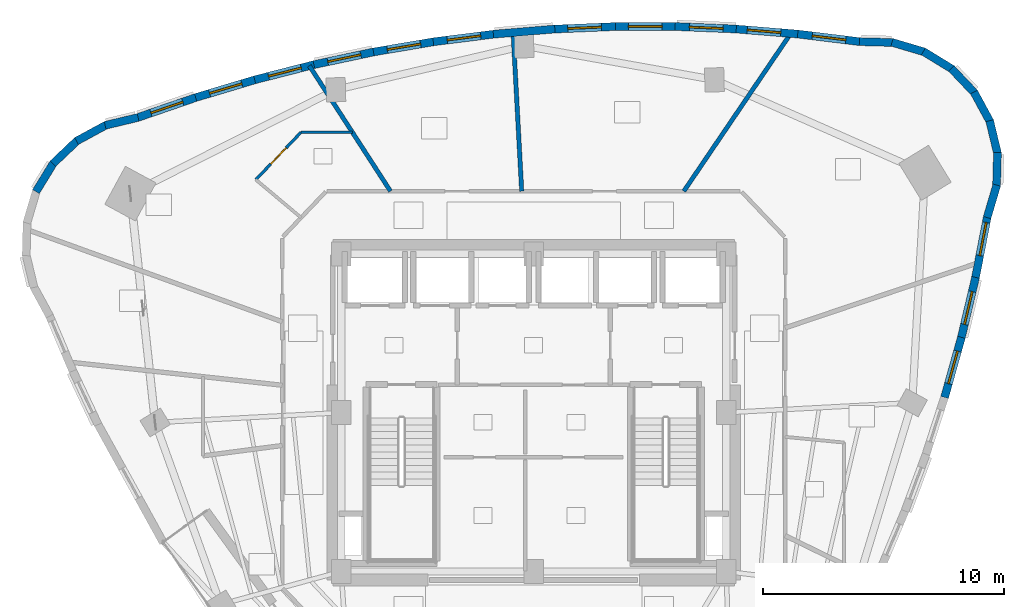
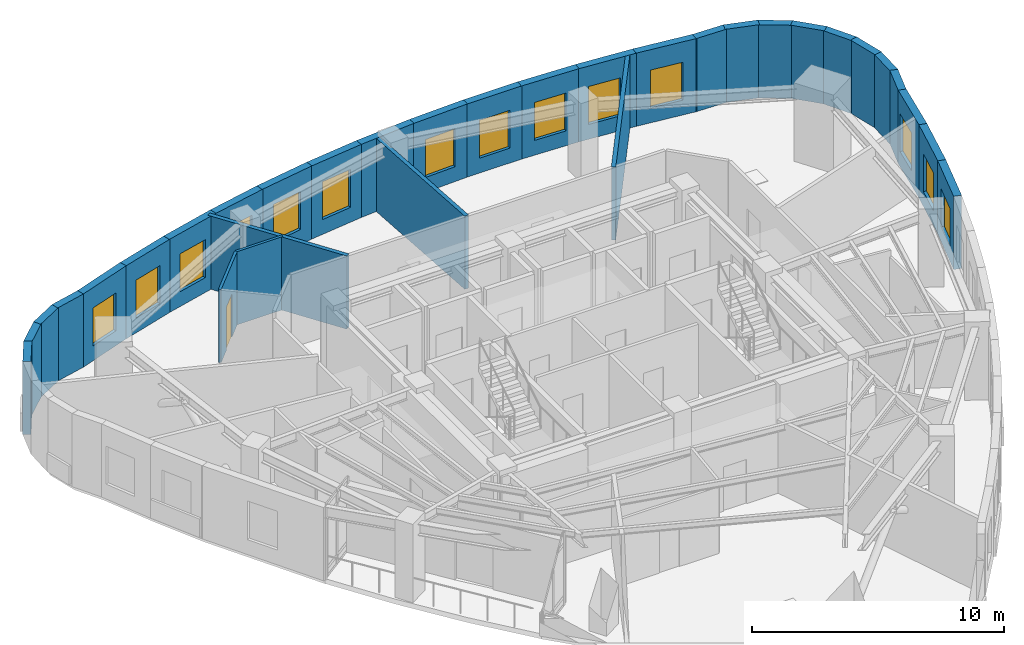
# One storey, part 9 of 13: 32 walls, 14 windows, 1 door, 15 openings.
"""IFC4 building model written with IfcOpenShell, lengths in metres."""

from ifc_helpers import new_model, si_unit, direction, frame, frame_2d, origin, place, context, subcontext, project, spatial, rectangle, extrude, material, layer, layer_set, type_object, element, fill, save


model = new_model("IFC4")

# Units and contexts
model_context = context("Model", 3, precision=1e-05, world=origin(), true_north=direction((0.0, 1.0)))
body_context = subcontext(model_context, "Body", "Model", "MODEL_VIEW")
ifc_project = project(units=[si_unit("LENGTHUNIT", "METRE"), si_unit("AREAUNIT", "SQUARE_METRE"), si_unit("VOLUMEUNIT", "CUBIC_METRE"), si_unit("PLANEANGLEUNIT", "RADIAN"), si_unit("MASSUNIT", "GRAM", prefix="KILO")], contexts=[model_context])

# Site, building, storey
site_placement = place(None, origin())
site = spatial("IfcSite", under=ifc_project, at=site_placement, CompositionType="ELEMENT")
building_placement = place(site_placement, origin())
building = spatial("IfcBuilding", under=site, at=building_placement, Name="Ndelora Gate Hotel", CompositionType="ELEMENT")
storey_placement = place(building_placement, frame((0.0, 0.0, 228.35009765625)))
storey = spatial("IfcBuildingStorey", under=building, at=storey_placement, Name="L57", CompositionType="ELEMENT", Elevation=228.35009765625)

# Walls
ifc_material_1 = material(Name="Acoustic Double-Stud Gypsum Assembly", Category="gypsum")
ifc_layer_1 = layer(ifc_material_1, 0.179931640625)
ifc_layer_set_1 = layer_set([ifc_layer_1], Name="Acoustic Double-Stud Gypsum Assembly")
wall_type_1 = type_object("IfcWallType", Name="WL-ACOUST-180", PredefinedType="PARTITIONING", material=ifc_layer_set_1)
wall_1_placement = place(storey_placement, frame((6.23779296875, 9.199951171875, 0.0), z_axis=(0.0, 0.0, 1.0), x_axis=(0.561184790161, 0.827690540777, 0.0)))
element("IfcWall", 1, at=wall_1_placement, inside=storey, type_object=wall_type_1, Name="L57 Interior Wall IW-3", PredefinedType="PARTITIONING", context=body_context, shape_type="SweptSolid", body=[
    extrude(rectangle(XDim=7.92041015625, YDim=0.179931640625, at=frame_2d((3.960205078125, 0.0))), origin(), (0.0, 0.0, 1.0), 3.5498046875),
])
wall_2_placement = place(storey_placement, frame((-0.498779296875, 9.199951171875, 0.0), z_axis=(0.0, 0.0, 1.0), x_axis=(-0.054120704993, 0.998534400655, 0.0)))
element("IfcWall", 2, at=wall_2_placement, inside=storey, type_object=wall_type_1, Name="L57 Interior Wall IW-3", PredefinedType="PARTITIONING", context=body_context, shape_type="SweptSolid", body=[
    extrude(rectangle(XDim=6.604248046875, YDim=0.179931640625, at=frame_2d((3.30224609375, 0.0))), origin(), (0.0, 0.0, 1.0), 3.5498046875),
])
wall_3_placement = place(storey_placement, frame((-5.950927734375, 9.199951171875, 0.0), z_axis=(0.0, 0.0, 1.0), x_axis=(-0.543119167899, 0.839655625516, 0.0)))
element("IfcWall", 3, at=wall_3_placement, inside=storey, type_object=wall_type_1, Name="L57 Interior Wall IW-3", PredefinedType="PARTITIONING", context=body_context, shape_type="SweptSolid", body=[
    extrude(rectangle(XDim=6.20703125, YDim=0.179931640625, at=frame_2d((3.103515625, 0.0))), origin(), (0.0, 0.0, 1.0), 3.5498046875),
])
ifc_material_2 = material(Name="Clay Brick Masonry", Category="masonry")
ifc_layer_2 = layer(ifc_material_2, 0.330078125)
ifc_layer_set_2 = layer_set([ifc_layer_2], Name="Clay Brick Masonry")
wall_type_2 = type_object("IfcWallType", Name="WL-BRICK-330", PredefinedType="SOLIDWALL", material=ifc_layer_set_2)
wall_4_placement = place(storey_placement, frame((-17.809326171875, 11.9375, 0.0), z_axis=(0.0, 0.0, 1.0), x_axis=(0.972355799013, 0.23350417582, 0.0)))
element("IfcWall", 4, at=wall_4_placement, inside=storey, type_object=wall_type_2, Name="L57 Tower Brick Pier-and-Spandrel Wall TWR-1", PredefinedType="SOLIDWALL", context=body_context, shape_type="SweptSolid", body=[
    extrude(rectangle(XDim=1.4072265625, YDim=0.330078125, at=frame_2d((0.70361328125, 0.0))), origin(), (0.0, 0.0, 1.0), 3.5498046875),
])
wall_5_placement = place(storey_placement, frame((-19.0, 11.28369140625, 0.0), z_axis=(0.0, 0.0, 1.0), x_axis=(0.8789012206, 0.47700382014, 0.0)))
element("IfcWall", 5, at=wall_5_placement, inside=storey, type_object=wall_type_2, Name="L57 Tower Brick Pier-and-Spandrel Wall TWR-2", PredefinedType="SOLIDWALL", context=body_context, shape_type="SweptSolid", body=[
    extrude(rectangle(XDim=1.407470703125, YDim=0.330078125, at=frame_2d((0.70361328125, 0.0))), origin(), (0.0, 0.0, 1.0), 3.5498046875),
])
for number, where, z_axis, x_axis, name in (
    (6, (-19.980712890625, 10.343994140625, 0.0), (0.0, 0.0, 1.0), (0.725341527104, 0.688389184298, 0.0), "L57 Tower Brick Pier-and-Spandrel Wall TWR-3"),
    (7, (-20.68505859375, 9.1826171875, 0.0), (0.0, 0.0, 1.0), (0.522509174355, 0.852633662668, 0.0), "L57 Tower Brick Pier-and-Spandrel Wall TWR-4"),
):
    element("IfcWall", number, at=place(storey_placement, frame(where, z_axis=z_axis, x_axis=x_axis)), inside=storey, type_object=wall_type_2, Name=name, PredefinedType="SOLIDWALL", context=body_context, shape_type="SweptSolid", body=[
        extrude(rectangle(XDim=1.4072265625, YDim=0.330078125, at=frame_2d((0.70361328125, 0.0))), origin(), (0.0, 0.0, 1.0), 3.5498046875),
    ])

# Wall, opening, window
wall_6_placement = place(storey_placement, frame((17.77490234375, 3.127685546875, 0.0), z_axis=(0.0, 0.0, 1.0), x_axis=(-0.26969279574, -0.962946413839, 0.0)))
wall_6 = element("IfcWall", 8, at=wall_6_placement, inside=storey, type_object=wall_type_2, Name="L57 Tower Brick Pier-and-Spandrel Wall TWR-36", PredefinedType="SOLIDWALL", context=body_context, shape_type="SweptSolid", body=[
    extrude(rectangle(XDim=2.592529296875, YDim=0.330078125, at=frame_2d((1.29638671875, 0.0))), origin(), (0.0, 0.0, 1.0), 3.5498046875),
])
opening_1_placement = place(wall_6_placement, frame((0.59619140625, 0.0, 0.719970703125)))
opening_1 = element("IfcOpeningElement", 9, at=opening_1_placement, cuts=wall_6, Name="Opening W02", PredefinedType="OPENING", context=body_context, shape_type="SweptSolid", body=[
    extrude(rectangle(XDim=1.39990234375, YDim=1.840087890625, at=frame_2d((0.699951171875, 0.919921875))), frame((0.0, 0.175048828125, 0.0), z_axis=(0.0, -1.0, 0.0), x_axis=(1.0, 0.0, 0.0)), (0.0, 0.0, 1.0), 0.35009765625),
])
ifc_material_3 = material(Name="Insulated Low-E Double Glazing in Bronze Aluminium Frame", Category="aluminium")
window_type = type_object("IfcWindowType", Name="WN-DEEP-1400", PartitioningType="SINGLE_PANEL", PredefinedType="WINDOW", material=ifc_material_3)
window_1_placement = place(opening_1_placement, origin())
window_1 = element("IfcWindow", 10, at=window_1_placement, inside=storey, type_object=window_type, Name="L57 Deep-Set Brick-Pier Window W02", OverallHeight=1.840087890625, OverallWidth=1.39990234375, PartitioningType="SINGLE_PANEL", PredefinedType="WINDOW", context=body_context, shape_type="SweptSolid", body=[
    extrude(rectangle(XDim=1.39990234375, YDim=1.840087890625, at=frame_2d((0.699951171875, 0.919921875))), frame((0.0, 0.030029296875, 0.0), z_axis=(0.0, -1.0, 0.0), x_axis=(1.0, 0.0, 0.0)), (0.0, 0.0, 1.0), 0.06005859375),
])
fill(opening_1, window_1)

wall_7_placement = place(storey_placement, frame((18.36328125, 5.619140625, 0.0), z_axis=(0.0, 0.0, 1.0), x_axis=(-0.230212303812, -0.973140429318, 0.0)))
wall_7 = element("IfcWall", 11, at=wall_7_placement, inside=storey, type_object=wall_type_2, Name="L57 Tower Brick Pier-and-Spandrel Wall TWR-37", PredefinedType="SOLIDWALL", context=body_context, shape_type="SweptSolid", body=[
    extrude(rectangle(XDim=2.60986328125, YDim=0.330078125, at=frame_2d((1.304931640625, 0.0))), origin(), (0.0, 0.0, 1.0), 3.5498046875),
])
opening_2_placement = place(wall_7_placement, frame((0.60498046875, 0.0, 0.719970703125)))
opening_2 = element("IfcOpeningElement", 12, at=opening_2_placement, cuts=wall_7, Name="Opening W02", PredefinedType="OPENING", context=body_context, shape_type="SweptSolid", body=[
    extrude(rectangle(XDim=1.39990234375, YDim=1.840087890625, at=frame_2d((0.699951171875, 0.919921875))), frame((0.0, 0.175048828125, 0.0), z_axis=(0.0, -1.0, 0.0), x_axis=(1.0, 0.0, 0.0)), (0.0, 0.0, 1.0), 0.35009765625),
])
window_2_placement = place(opening_2_placement, origin())
window_2 = element("IfcWindow", 13, at=window_2_placement, inside=storey, type_object=window_type, Name="L57 Deep-Set Brick-Pier Window W02", OverallHeight=1.840087890625, OverallWidth=1.39990234375, PartitioningType="SINGLE_PANEL", PredefinedType="WINDOW", context=body_context, shape_type="SweptSolid", body=[
    extrude(rectangle(XDim=1.39990234375, YDim=1.840087890625, at=frame_2d((0.699951171875, 0.919921875))), frame((0.0, 0.030029296875, 0.0), z_axis=(0.0, -1.0, 0.0), x_axis=(1.0, 0.0, 0.0)), (0.0, 0.0, 1.0), 0.06005859375),
])
fill(opening_2, window_2)

wall_8_placement = place(storey_placement, frame((18.85498046875, 8.153564453125, 0.0), z_axis=(0.0, 0.0, 1.0), x_axis=(-0.190921803472, -0.981605249048, 0.0)))
wall_8 = element("IfcWall", 14, at=wall_8_placement, inside=storey, type_object=wall_type_2, Name="L57 Tower Brick Pier-and-Spandrel Wall TWR-38", PredefinedType="SOLIDWALL", context=body_context, shape_type="SweptSolid", body=[
    extrude(rectangle(XDim=2.631591796875, YDim=0.330078125, at=frame_2d((1.31591796875, 0.0))), origin(), (0.0, 0.0, 1.0), 3.5498046875),
])
opening_3_placement = place(wall_8_placement, frame((0.260009765625, 0.0, 0.719970703125)))
opening_3 = element("IfcOpeningElement", 15, at=opening_3_placement, cuts=wall_8, Name="Opening W02", PredefinedType="OPENING", context=body_context, shape_type="SweptSolid", body=[
    extrude(rectangle(XDim=1.39990234375, YDim=1.840087890625, at=frame_2d((0.699951171875, 0.919921875))), frame((0.0, 0.175048828125, 0.0), z_axis=(0.0, -1.0, 0.0), x_axis=(1.0, 0.0, 0.0)), (0.0, 0.0, 1.0), 0.35009765625),
])
window_3_placement = place(opening_3_placement, origin())
window_3 = element("IfcWindow", 16, at=window_3_placement, inside=storey, type_object=window_type, Name="L57 Deep-Set Brick-Pier Window W02", OverallHeight=1.840087890625, OverallWidth=1.39990234375, PartitioningType="SINGLE_PANEL", PredefinedType="WINDOW", context=body_context, shape_type="SweptSolid", body=[
    extrude(rectangle(XDim=1.39990234375, YDim=1.840087890625, at=frame_2d((0.699951171875, 0.919921875))), frame((0.0, 0.030029296875, 0.0), z_axis=(0.0, -1.0, 0.0), x_axis=(1.0, 0.0, 0.0)), (0.0, 0.0, 1.0), 0.06005859375),
])
fill(opening_3, window_3)

# Walls
wall_9_placement = place(storey_placement, frame((19.242919921875, 9.45458984375, 0.0), z_axis=(0.0, 0.0, 1.0), x_axis=(-0.284100140437, -0.958794613149, 0.0)))
element("IfcWall", 17, at=wall_9_placement, inside=storey, type_object=wall_type_2, Name="L57 Tower Brick Pier-and-Spandrel Wall TWR-39", PredefinedType="SOLIDWALL", context=body_context, shape_type="SweptSolid", body=[
    extrude(rectangle(XDim=1.40771484375, YDim=0.330078125, at=frame_2d((0.703857421875, 0.0))), origin(), (0.0, 0.0, 1.0), 3.5498046875),
])
for number, where, z_axis, x_axis, name in (
    (18, (19.27197265625, 10.8125, 0.0), (0.0, 0.0, 1.0), (-0.02619264168, -0.999656913907, 0.0), "L57 Tower Brick Pier-and-Spandrel Wall TWR-40"),
    (19, (18.948486328125, 12.1318359375, 0.0), (0.0, 0.0, 1.0), (0.233464793771, -0.972365255482, 0.0), "L57 Tower Brick Pier-and-Spandrel Wall TWR-41"),
):
    element("IfcWall", number, at=place(storey_placement, frame(where, z_axis=z_axis, x_axis=x_axis)), inside=storey, type_object=wall_type_2, Name=name, PredefinedType="SOLIDWALL", context=body_context, shape_type="SweptSolid", body=[
        extrude(rectangle(XDim=1.407470703125, YDim=0.330078125, at=frame_2d((0.70361328125, 0.0))), origin(), (0.0, 0.0, 1.0), 3.5498046875),
    ])
wall_10_placement = place(storey_placement, frame((18.294921875, 13.322509765625, 0.0), z_axis=(0.0, 0.0, 1.0), x_axis=(0.477076549129, -0.878861744685, 0.0)))
element("IfcWall", 20, at=wall_10_placement, inside=storey, type_object=wall_type_2, Name="L57 Tower Brick Pier-and-Spandrel Wall TWR-42", PredefinedType="SOLIDWALL", context=body_context, shape_type="SweptSolid", body=[
    extrude(rectangle(XDim=1.4072265625, YDim=0.330078125, at=frame_2d((0.70361328125, 0.0))), origin(), (0.0, 0.0, 1.0), 3.5498046875),
])
wall_11_placement = place(storey_placement, frame((17.35498046875, 14.30322265625, 0.0), z_axis=(0.0, 0.0, 1.0), x_axis=(0.688480442028, -0.725254907563, 0.0)))
element("IfcWall", 21, at=wall_11_placement, inside=storey, type_object=wall_type_2, Name="L57 Tower Brick Pier-and-Spandrel Wall TWR-43", PredefinedType="SOLIDWALL", context=body_context, shape_type="SweptSolid", body=[
    extrude(rectangle(XDim=1.407470703125, YDim=0.330078125, at=frame_2d((0.70361328125, 0.0))), origin(), (0.0, 0.0, 1.0), 3.5498046875),
])
wall_12_placement = place(storey_placement, frame((16.193603515625, 15.007568359375, 0.0), z_axis=(0.0, 0.0, 1.0), x_axis=(0.852633662668, -0.522509174355, 0.0)))
element("IfcWall", 22, at=wall_12_placement, inside=storey, type_object=wall_type_2, Name="L57 Tower Brick Pier-and-Spandrel Wall TWR-44", PredefinedType="SOLIDWALL", context=body_context, shape_type="SweptSolid", body=[
    extrude(rectangle(XDim=1.4072265625, YDim=0.330078125, at=frame_2d((0.70361328125, 0.0))), origin(), (0.0, 0.0, 1.0), 3.5498046875),
])
wall_13_placement = place(storey_placement, frame((14.88916015625, 15.38720703125, 0.0), z_axis=(0.0, 0.0, 1.0), x_axis=(0.958794613149, -0.284100140437, 0.0)))
element("IfcWall", 23, at=wall_13_placement, inside=storey, type_object=wall_type_2, Name="L57 Tower Brick Pier-and-Spandrel Wall TWR-45", PredefinedType="SOLIDWALL", context=body_context, shape_type="SweptSolid", body=[
    extrude(rectangle(XDim=1.40771484375, YDim=0.330078125, at=frame_2d((0.703857421875, 0.0))), origin(), (0.0, 0.0, 1.0), 3.5498046875),
])
wall_14_placement = place(storey_placement, frame((13.53125, 15.416259765625, 0.0), z_axis=(0.0, 0.0, 1.0), x_axis=(0.999656913907, -0.02619264168, 0.0)))
element("IfcWall", 24, at=wall_14_placement, inside=storey, type_object=wall_type_2, Name="L57 Tower Brick Pier-and-Spandrel Wall TWR-46", PredefinedType="SOLIDWALL", context=body_context, shape_type="SweptSolid", body=[
    extrude(rectangle(XDim=1.407470703125, YDim=0.330078125, at=frame_2d((0.70361328125, 0.0))), origin(), (0.0, 0.0, 1.0), 3.5498046875),
])

# Wall, opening, window
wall_15_placement = place(storey_placement, frame((10.968994140625, 15.73291015625, 0.0), z_axis=(0.0, 0.0, 1.0), x_axis=(0.99256490285, -0.121716529819, 0.0)))
wall_15 = element("IfcWall", 25, at=wall_15_placement, inside=storey, type_object=wall_type_2, Name="L57 Tower Brick Pier-and-Spandrel Wall TWR-47", PredefinedType="SOLIDWALL", context=body_context, shape_type="SweptSolid", body=[
    extrude(rectangle(XDim=2.631591796875, YDim=0.330078125, at=frame_2d((1.31591796875, 0.0))), origin(), (0.0, 0.0, 1.0), 3.5498046875),
])
opening_4_placement = place(wall_15_placement, frame((0.61572265625, 0.0, 0.719970703125)))
opening_4 = element("IfcOpeningElement", 26, at=opening_4_placement, cuts=wall_15, Name="Opening W02", PredefinedType="OPENING", context=body_context, shape_type="SweptSolid", body=[
    extrude(rectangle(XDim=1.39990234375, YDim=1.840087890625, at=frame_2d((0.699951171875, 0.919921875))), frame((0.0, 0.175048828125, 0.0), z_axis=(0.0, -1.0, 0.0), x_axis=(1.0, 0.0, 0.0)), (0.0, 0.0, 1.0), 0.35009765625),
])
window_4_placement = place(opening_4_placement, origin())
window_4 = element("IfcWindow", 27, at=window_4_placement, inside=storey, type_object=window_type, Name="L57 Deep-Set Brick-Pier Window W02", OverallHeight=1.840087890625, OverallWidth=1.39990234375, PartitioningType="SINGLE_PANEL", PredefinedType="WINDOW", context=body_context, shape_type="SweptSolid", body=[
    extrude(rectangle(XDim=1.39990234375, YDim=1.840087890625, at=frame_2d((0.699951171875, 0.919921875))), frame((0.0, 0.030029296875, 0.0), z_axis=(0.0, -1.0, 0.0), x_axis=(1.0, 0.0, 0.0)), (0.0, 0.0, 1.0), 0.06005859375),
])
fill(opening_4, window_4)

wall_16_placement = place(storey_placement, frame((8.41748046875, 15.94140625, 0.0), z_axis=(0.0, 0.0, 1.0), x_axis=(0.996652650266, -0.081752643485, 0.0)))
wall_16 = element("IfcWall", 28, at=wall_16_placement, inside=storey, type_object=wall_type_2, Name="L57 Tower Brick Pier-and-Spandrel Wall TWR-48", PredefinedType="SOLIDWALL", context=body_context, shape_type="SweptSolid", body=[
    extrude(rectangle(XDim=2.610107421875, YDim=0.330078125, at=frame_2d((1.30517578125, 0.0))), origin(), (0.0, 0.0, 1.0), 3.5498046875),
])
opening_5_placement = place(wall_16_placement, frame((0.4599609375, 0.0, 0.719970703125)))
opening_5 = element("IfcOpeningElement", 29, at=opening_5_placement, cuts=wall_16, Name="Opening W02", PredefinedType="OPENING", context=body_context, shape_type="SweptSolid", body=[
    extrude(rectangle(XDim=1.39990234375, YDim=1.840087890625, at=frame_2d((0.699951171875, 0.919921875))), frame((0.0, 0.175048828125, 0.0), z_axis=(0.0, -1.0, 0.0), x_axis=(1.0, 0.0, 0.0)), (0.0, 0.0, 1.0), 0.35009765625),
])
window_5_placement = place(opening_5_placement, origin())
window_5 = element("IfcWindow", 30, at=window_5_placement, inside=storey, type_object=window_type, Name="L57 Deep-Set Brick-Pier Window W02", OverallHeight=1.840087890625, OverallWidth=1.39990234375, PartitioningType="SINGLE_PANEL", PredefinedType="WINDOW", context=body_context, shape_type="SweptSolid", body=[
    extrude(rectangle(XDim=1.39990234375, YDim=1.840087890625, at=frame_2d((0.699951171875, 0.919921875))), frame((0.0, 0.030029296875, 0.0), z_axis=(0.0, -1.0, 0.0), x_axis=(1.0, 0.0, 0.0)), (0.0, 0.0, 1.0), 0.06005859375),
])
fill(opening_5, window_5)

wall_17_placement = place(storey_placement, frame((5.876953125, 16.044921875, 0.0), z_axis=(0.0, 0.0, 1.0), x_axis=(0.999156737848, -0.041058655768, 0.0)))
wall_17 = element("IfcWall", 31, at=wall_17_placement, inside=storey, type_object=wall_type_2, Name="L57 Tower Brick Pier-and-Spandrel Wall TWR-49", PredefinedType="SOLIDWALL", context=body_context, shape_type="SweptSolid", body=[
    extrude(rectangle(XDim=2.592529296875, YDim=0.330078125, at=frame_2d((1.29638671875, 0.0))), origin(), (0.0, 0.0, 1.0), 3.5498046875),
])
opening_6_placement = place(wall_17_placement, frame((0.59619140625, 0.0, 0.719970703125)))
opening_6 = element("IfcOpeningElement", 32, at=opening_6_placement, cuts=wall_17, Name="Opening W02", PredefinedType="OPENING", context=body_context, shape_type="SweptSolid", body=[
    extrude(rectangle(XDim=1.39990234375, YDim=1.840087890625, at=frame_2d((0.699951171875, 0.919921875))), frame((0.0, 0.175048828125, 0.0), z_axis=(0.0, -1.0, 0.0), x_axis=(1.0, 0.0, 0.0)), (0.0, 0.0, 1.0), 0.35009765625),
])
window_6_placement = place(opening_6_placement, origin())
window_6 = element("IfcWindow", 33, at=window_6_placement, inside=storey, type_object=window_type, Name="L57 Deep-Set Brick-Pier Window W02", OverallHeight=1.840087890625, OverallWidth=1.39990234375, PartitioningType="SINGLE_PANEL", PredefinedType="WINDOW", context=body_context, shape_type="SweptSolid", body=[
    extrude(rectangle(XDim=1.39990234375, YDim=1.840087890625, at=frame_2d((0.699951171875, 0.919921875))), frame((0.0, 0.030029296875, 0.0), z_axis=(0.0, -1.0, 0.0), x_axis=(1.0, 0.0, 0.0)), (0.0, 0.0, 1.0), 0.06005859375),
])
fill(opening_6, window_6)

wall_18_placement = place(storey_placement, frame((3.34765625, 16.04345703125, 0.0), z_axis=(0.0, 0.0, 1.0), x_axis=(0.999999982082, 0.000189304303, 0.0)))
wall_18 = element("IfcWall", 34, at=wall_18_placement, inside=storey, type_object=wall_type_2, Name="L57 Tower Brick Pier-and-Spandrel Wall TWR-50", PredefinedType="SOLIDWALL", context=body_context, shape_type="SweptSolid", body=[
    extrude(rectangle(XDim=2.579345703125, YDim=0.330078125, at=frame_2d((1.28955078125, 0.0))), origin(), (0.0, 0.0, 1.0), 3.5498046875),
])
opening_7_placement = place(wall_18_placement, frame((0.589599609375, 0.0, 0.719970703125)))
opening_7 = element("IfcOpeningElement", 35, at=opening_7_placement, cuts=wall_18, Name="Opening W02", PredefinedType="OPENING", context=body_context, shape_type="SweptSolid", body=[
    extrude(rectangle(XDim=1.39990234375, YDim=1.840087890625, at=frame_2d((0.699951171875, 0.919921875))), frame((0.0, 0.175048828125, 0.0), z_axis=(0.0, -1.0, 0.0), x_axis=(1.0, 0.0, 0.0)), (0.0, 0.0, 1.0), 0.35009765625),
])
window_7_placement = place(opening_7_placement, origin())
window_7 = element("IfcWindow", 36, at=window_7_placement, inside=storey, type_object=window_type, Name="L57 Deep-Set Brick-Pier Window W02", OverallHeight=1.840087890625, OverallWidth=1.39990234375, PartitioningType="SINGLE_PANEL", PredefinedType="WINDOW", context=body_context, shape_type="SweptSolid", body=[
    extrude(rectangle(XDim=1.39990234375, YDim=1.840087890625, at=frame_2d((0.699951171875, 0.919921875))), frame((0.0, 0.030029296875, 0.0), z_axis=(0.0, -1.0, 0.0), x_axis=(1.0, 0.0, 0.0)), (0.0, 0.0, 1.0), 0.06005859375),
])
fill(opening_7, window_7)

wall_19_placement = place(storey_placement, frame((0.829345703125, 15.93701171875, 0.0), z_axis=(0.0, 0.0, 1.0), x_axis=(0.999126476611, 0.041788559858, 0.0)))
wall_19 = element("IfcWall", 37, at=wall_19_placement, inside=storey, type_object=wall_type_2, Name="L57 Tower Brick Pier-and-Spandrel Wall TWR-51", PredefinedType="SOLIDWALL", context=body_context, shape_type="SweptSolid", body=[
    extrude(rectangle(XDim=2.570556640625, YDim=0.330078125, at=frame_2d((1.28515625, 0.0))), origin(), (0.0, 0.0, 1.0), 3.5498046875),
])
opening_8_placement = place(wall_19_placement, frame((0.585205078125, 0.0, 0.719970703125)))
opening_8 = element("IfcOpeningElement", 38, at=opening_8_placement, cuts=wall_19, Name="Opening W02", PredefinedType="OPENING", context=body_context, shape_type="SweptSolid", body=[
    extrude(rectangle(XDim=1.39990234375, YDim=1.840087890625, at=frame_2d((0.699951171875, 0.919921875))), frame((0.0, 0.175048828125, 0.0), z_axis=(0.0, -1.0, 0.0), x_axis=(1.0, 0.0, 0.0)), (0.0, 0.0, 1.0), 0.35009765625),
])
window_8_placement = place(opening_8_placement, origin())
window_8 = element("IfcWindow", 39, at=window_8_placement, inside=storey, type_object=window_type, Name="L57 Deep-Set Brick-Pier Window W02", OverallHeight=1.840087890625, OverallWidth=1.39990234375, PartitioningType="SINGLE_PANEL", PredefinedType="WINDOW", context=body_context, shape_type="SweptSolid", body=[
    extrude(rectangle(XDim=1.39990234375, YDim=1.840087890625, at=frame_2d((0.699951171875, 0.919921875))), frame((0.0, 0.030029296875, 0.0), z_axis=(0.0, -1.0, 0.0), x_axis=(1.0, 0.0, 0.0)), (0.0, 0.0, 1.0), 0.06005859375),
])
fill(opening_8, window_8)

# Wall
wall_20_placement = place(storey_placement, frame((-1.677978515625, 15.725341796875, 0.0), z_axis=(0.0, 0.0, 1.0), x_axis=(0.996489100747, 0.083722590095, 0.0)))
element("IfcWall", 40, at=wall_20_placement, inside=storey, type_object=wall_type_2, Name="L57 Tower Brick Pier-and-Spandrel Wall TWR-52", PredefinedType="SOLIDWALL", context=body_context, shape_type="SweptSolid", body=[
    extrude(rectangle(XDim=2.566162109375, YDim=0.330078125, at=frame_2d((1.283203125, 0.0))), origin(), (0.0, 0.0, 1.0), 3.5498046875),
])

# Wall, opening, window
wall_21_placement = place(storey_placement, frame((-4.174072265625, 15.408935546875, 0.0), z_axis=(0.0, 0.0, 1.0), x_axis=(0.992107160936, 0.125392907376, 0.0)))
wall_21 = element("IfcWall", 41, at=wall_21_placement, inside=storey, type_object=wall_type_2, Name="L57 Tower Brick Pier-and-Spandrel Wall TWR-53", PredefinedType="SOLIDWALL", context=body_context, shape_type="SweptSolid", body=[
    extrude(rectangle(XDim=2.566162109375, YDim=0.330078125, at=frame_2d((1.283203125, 0.0))), origin(), (0.0, 0.0, 1.0), 3.5498046875),
])
opening_9_placement = place(wall_21_placement, frame((0.5830078125, 0.0, 0.719970703125)))
opening_9 = element("IfcOpeningElement", 42, at=opening_9_placement, cuts=wall_21, Name="Opening W02", PredefinedType="OPENING", context=body_context, shape_type="SweptSolid", body=[
    extrude(rectangle(XDim=1.39990234375, YDim=1.840087890625, at=frame_2d((0.699951171875, 0.919921875))), frame((0.0, 0.175048828125, 0.0), z_axis=(0.0, -1.0, 0.0), x_axis=(1.0, 0.0, 0.0)), (0.0, 0.0, 1.0), 0.35009765625),
])
window_9_placement = place(opening_9_placement, origin())
window_9 = element("IfcWindow", 43, at=window_9_placement, inside=storey, type_object=window_type, Name="L57 Deep-Set Brick-Pier Window W02", OverallHeight=1.840087890625, OverallWidth=1.39990234375, PartitioningType="SINGLE_PANEL", PredefinedType="WINDOW", context=body_context, shape_type="SweptSolid", body=[
    extrude(rectangle(XDim=1.39990234375, YDim=1.840087890625, at=frame_2d((0.699951171875, 0.919921875))), frame((0.0, 0.030029296875, 0.0), z_axis=(0.0, -1.0, 0.0), x_axis=(1.0, 0.0, 0.0)), (0.0, 0.0, 1.0), 0.06005859375),
])
fill(opening_9, window_9)

wall_22_placement = place(storey_placement, frame((-6.6591796875, 14.987548828125, 0.0), z_axis=(0.0, 0.0, 1.0), x_axis=(0.985993143287, 0.16678585489, 0.0)))
wall_22 = element("IfcWall", 44, at=wall_22_placement, inside=storey, type_object=wall_type_2, Name="L57 Tower Brick Pier-and-Spandrel Wall TWR-54", PredefinedType="SOLIDWALL", context=body_context, shape_type="SweptSolid", body=[
    extrude(rectangle(XDim=2.5703125, YDim=0.330078125, at=frame_2d((1.28515625, 0.0))), origin(), (0.0, 0.0, 1.0), 3.5498046875),
])
opening_10_placement = place(wall_22_placement, frame((0.585205078125, 0.0, 0.719970703125)))
opening_10 = element("IfcOpeningElement", 45, at=opening_10_placement, cuts=wall_22, Name="Opening W02", PredefinedType="OPENING", context=body_context, shape_type="SweptSolid", body=[
    extrude(rectangle(XDim=1.39990234375, YDim=1.840087890625, at=frame_2d((0.699951171875, 0.919921875))), frame((0.0, 0.175048828125, 0.0), z_axis=(0.0, -1.0, 0.0), x_axis=(1.0, 0.0, 0.0)), (0.0, 0.0, 1.0), 0.35009765625),
])
window_10_placement = place(opening_10_placement, origin())
window_10 = element("IfcWindow", 46, at=window_10_placement, inside=storey, type_object=window_type, Name="L57 Deep-Set Brick-Pier Window W02", OverallHeight=1.840087890625, OverallWidth=1.39990234375, PartitioningType="SINGLE_PANEL", PredefinedType="WINDOW", context=body_context, shape_type="SweptSolid", body=[
    extrude(rectangle(XDim=1.39990234375, YDim=1.840087890625, at=frame_2d((0.699951171875, 0.919921875))), frame((0.0, 0.030029296875, 0.0), z_axis=(0.0, -1.0, 0.0), x_axis=(1.0, 0.0, 0.0)), (0.0, 0.0, 1.0), 0.06005859375),
])
fill(opening_10, window_10)

wall_23_placement = place(storey_placement, frame((-9.13330078125, 14.461181640625, 0.0), z_axis=(0.0, 0.0, 1.0), x_axis=(0.978200927103, 0.207660651579, 0.0)))
wall_23 = element("IfcWall", 47, at=wall_23_placement, inside=storey, type_object=wall_type_2, Name="L57 Tower Brick Pier-and-Spandrel Wall TWR-55", PredefinedType="SOLIDWALL", context=body_context, shape_type="SweptSolid", body=[
    extrude(rectangle(XDim=2.579345703125, YDim=0.330078125, at=frame_2d((1.28955078125, 0.0))), origin(), (0.0, 0.0, 1.0), 3.5498046875),
])
opening_11_placement = place(wall_23_placement, frame((0.589599609375, 0.0, 0.719970703125)))
opening_11 = element("IfcOpeningElement", 48, at=opening_11_placement, cuts=wall_23, Name="Opening W02", PredefinedType="OPENING", context=body_context, shape_type="SweptSolid", body=[
    extrude(rectangle(XDim=1.39990234375, YDim=1.840087890625, at=frame_2d((0.699951171875, 0.919921875))), frame((0.0, 0.175048828125, 0.0), z_axis=(0.0, -1.0, 0.0), x_axis=(1.0, 0.0, 0.0)), (0.0, 0.0, 1.0), 0.35009765625),
])
window_11_placement = place(opening_11_placement, origin())
window_11 = element("IfcWindow", 49, at=window_11_placement, inside=storey, type_object=window_type, Name="L57 Deep-Set Brick-Pier Window W02", OverallHeight=1.840087890625, OverallWidth=1.39990234375, PartitioningType="SINGLE_PANEL", PredefinedType="WINDOW", context=body_context, shape_type="SweptSolid", body=[
    extrude(rectangle(XDim=1.39990234375, YDim=1.840087890625, at=frame_2d((0.699951171875, 0.919921875))), frame((0.0, 0.030029296875, 0.0), z_axis=(0.0, -1.0, 0.0), x_axis=(1.0, 0.0, 0.0)), (0.0, 0.0, 1.0), 0.06005859375),
])
fill(opening_11, window_11)

wall_24_placement = place(storey_placement, frame((-11.59619140625, 13.82958984375, 0.0), z_axis=(0.0, 0.0, 1.0), x_axis=(0.968775883115, 0.247938073507, 0.0)))
wall_24 = element("IfcWall", 50, at=wall_24_placement, inside=storey, type_object=wall_type_2, Name="L57 Tower Brick Pier-and-Spandrel Wall TWR-56", PredefinedType="SOLIDWALL", context=body_context, shape_type="SweptSolid", body=[
    extrude(rectangle(XDim=2.5927734375, YDim=0.330078125, at=frame_2d((1.29638671875, 0.0))), origin(), (0.0, 0.0, 1.0), 3.5498046875),
])
opening_12_placement = place(wall_24_placement, frame((0.59619140625, 0.0, 0.719970703125)))
opening_12 = element("IfcOpeningElement", 51, at=opening_12_placement, cuts=wall_24, Name="Opening W02", PredefinedType="OPENING", context=body_context, shape_type="SweptSolid", body=[
    extrude(rectangle(XDim=1.39990234375, YDim=1.840087890625, at=frame_2d((0.699951171875, 0.919921875))), frame((0.0, 0.175048828125, 0.0), z_axis=(0.0, -1.0, 0.0), x_axis=(1.0, 0.0, 0.0)), (0.0, 0.0, 1.0), 0.35009765625),
])
window_12_placement = place(opening_12_placement, origin())
window_12 = element("IfcWindow", 52, at=window_12_placement, inside=storey, type_object=window_type, Name="L57 Deep-Set Brick-Pier Window W02", OverallHeight=1.840087890625, OverallWidth=1.39990234375, PartitioningType="SINGLE_PANEL", PredefinedType="WINDOW", context=body_context, shape_type="SweptSolid", body=[
    extrude(rectangle(XDim=1.39990234375, YDim=1.840087890625, at=frame_2d((0.699951171875, 0.919921875))), frame((0.0, 0.030029296875, 0.0), z_axis=(0.0, -1.0, 0.0), x_axis=(1.0, 0.0, 0.0)), (0.0, 0.0, 1.0), 0.06005859375),
])
fill(opening_12, window_12)

wall_25_placement = place(storey_placement, frame((-14.0478515625, 13.093505859375, 0.0), z_axis=(0.0, 0.0, 1.0), x_axis=(0.957870045739, 0.287201976796, 0.0)))
wall_25 = element("IfcWall", 53, at=wall_25_placement, inside=storey, type_object=wall_type_2, Name="L57 Tower Brick Pier-and-Spandrel Wall TWR-57", PredefinedType="SOLIDWALL", context=body_context, shape_type="SweptSolid", body=[
    extrude(rectangle(XDim=2.609619140625, YDim=0.330078125, at=frame_2d((1.3046875, 0.0))), origin(), (0.0, 0.0, 1.0), 3.5498046875),
])
opening_13_placement = place(wall_25_placement, frame((0.60498046875, 0.0, 0.719970703125)))
opening_13 = element("IfcOpeningElement", 54, at=opening_13_placement, cuts=wall_25, Name="Opening W02", PredefinedType="OPENING", context=body_context, shape_type="SweptSolid", body=[
    extrude(rectangle(XDim=1.39990234375, YDim=1.840087890625, at=frame_2d((0.699951171875, 0.919921875))), frame((0.0, 0.175048828125, 0.0), z_axis=(0.0, -1.0, 0.0), x_axis=(1.0, 0.0, 0.0)), (0.0, 0.0, 1.0), 0.35009765625),
])
window_13_placement = place(opening_13_placement, origin())
window_13 = element("IfcWindow", 55, at=window_13_placement, inside=storey, type_object=window_type, Name="L57 Deep-Set Brick-Pier Window W02", OverallHeight=1.840087890625, OverallWidth=1.39990234375, PartitioningType="SINGLE_PANEL", PredefinedType="WINDOW", context=body_context, shape_type="SweptSolid", body=[
    extrude(rectangle(XDim=1.39990234375, YDim=1.840087890625, at=frame_2d((0.699951171875, 0.919921875))), frame((0.0, 0.030029296875, 0.0), z_axis=(0.0, -1.0, 0.0), x_axis=(1.0, 0.0, 0.0)), (0.0, 0.0, 1.0), 0.06005859375),
])
fill(opening_13, window_13)

wall_26_placement = place(storey_placement, frame((-16.48876953125, 12.252197265625, 0.0), z_axis=(0.0, 0.0, 1.0), x_axis=(0.945558180725, 0.325453110085, 0.0)))
wall_26 = element("IfcWall", 56, at=wall_26_placement, inside=storey, type_object=wall_type_2, Name="L57 Tower Brick Pier-and-Spandrel Wall TWR-58", PredefinedType="SOLIDWALL", context=body_context, shape_type="SweptSolid", body=[
    extrude(rectangle(XDim=2.631591796875, YDim=0.330078125, at=frame_2d((1.31591796875, 0.0))), origin(), (0.0, 0.0, 1.0), 3.5498046875),
])
opening_14_placement = place(wall_26_placement, frame((0.615966796875, 0.0, 0.719970703125)))
opening_14 = element("IfcOpeningElement", 57, at=opening_14_placement, cuts=wall_26, Name="Opening W02", PredefinedType="OPENING", context=body_context, shape_type="SweptSolid", body=[
    extrude(rectangle(XDim=1.39990234375, YDim=1.840087890625, at=frame_2d((0.699951171875, 0.919921875))), frame((0.0, 0.175048828125, 0.0), z_axis=(0.0, -1.0, 0.0), x_axis=(1.0, 0.0, 0.0)), (0.0, 0.0, 1.0), 0.35009765625),
])
window_14_placement = place(opening_14_placement, origin())
window_14 = element("IfcWindow", 58, at=window_14_placement, inside=storey, type_object=window_type, Name="L57 Deep-Set Brick-Pier Window W02", OverallHeight=1.840087890625, OverallWidth=1.39990234375, PartitioningType="SINGLE_PANEL", PredefinedType="WINDOW", context=body_context, shape_type="SweptSolid", body=[
    extrude(rectangle(XDim=1.39990234375, YDim=1.840087890625, at=frame_2d((0.699951171875, 0.919921875))), frame((0.0, 0.030029296875, 0.0), z_axis=(0.0, -1.0, 0.0), x_axis=(1.0, 0.0, 0.0)), (0.0, 0.0, 1.0), 0.06005859375),
])
fill(opening_14, window_14)

# Wall, opening, door
ifc_material_4 = material(Name="Moisture-Resistant Bathroom Tile Partition", Category="gypsum")
ifc_layer_3 = layer(ifc_material_4, 0.1201171875)
ifc_layer_set_3 = layer_set([ifc_layer_3], Name="Moisture-Resistant Bathroom Tile Partition")
wall_type_3 = type_object("IfcWallType", Name="WL-WET-120", PredefinedType="PARTITIONING", material=ifc_layer_set_3)
wall_27_placement = place(storey_placement, frame((-11.54736328125, 9.6796875, 0.0), z_axis=(0.0, 0.0, 1.0), x_axis=(0.689950763689, 0.723856300438, 0.0)))
wall_27 = element("IfcWall", 59, at=wall_27_placement, inside=storey, type_object=wall_type_3, Name="L57 Interior Wall IW-7", PredefinedType="PARTITIONING", context=body_context, shape_type="SweptSolid", body=[
    extrude(rectangle(XDim=2.721923828125, YDim=0.1201171875, at=frame_2d((1.36083984375, 0.0))), origin(), (0.0, 0.0, 1.0), 3.5498046875),
])
opening_15_placement = place(wall_27_placement, frame((0.90087890625, 0.0, 0.0)))
opening_15 = element("IfcOpeningElement", 60, at=opening_15_placement, cuts=wall_27, Name="Opening D03", PredefinedType="OPENING", context=body_context, shape_type="SweptSolid", body=[
    extrude(rectangle(XDim=0.919921875, YDim=2.10009765625, at=frame_2d((0.4599609375, 1.050048828125))), frame((0.0, 0.070068359375, 0.0), z_axis=(0.0, -1.0, 0.0), x_axis=(1.0, 0.0, 0.0)), (0.0, 0.0, 1.0), 0.14013671875),
])
ifc_material_5 = material(Name="Moisture-Resistant Hardwood En-Suite Door", Category="wood")
door_type = type_object("IfcDoorType", Name="DR-BATH-920", OperationType="SINGLE_SWING_LEFT", PredefinedType="DOOR", material=ifc_material_5)
door_placement = place(opening_15_placement, origin())
door = element("IfcDoor", 61, at=door_placement, inside=storey, type_object=door_type, Name="L57 En-suite Bathroom 6004 Door", OperationType="SINGLE_SWING_LEFT", OverallHeight=2.10009765625, OverallWidth=0.919921875, PredefinedType="DOOR", context=body_context, shape_type="SweptSolid", body=[
    extrude(rectangle(XDim=0.919921875, YDim=2.10009765625, at=frame_2d((0.4599609375, 1.050048828125))), frame((0.0, 0.02490234375, 0.0), z_axis=(0.0, -1.0, 0.0), x_axis=(1.0, 0.0, 0.0)), (0.0, 0.0, 1.0), 0.050048828125),
])
fill(opening_15, door)

# Wall
wall_28_placement = place(storey_placement, frame((-7.53564453125, 11.64990234375, 0.0), z_axis=(0.0, 0.0, 1.0), x_axis=(-1.0, 0.0, 0.0)))
element("IfcWall", 62, at=wall_28_placement, inside=storey, type_object=wall_type_3, Name="L57 Interior Wall IW-7", PredefinedType="PARTITIONING", context=body_context, shape_type="SweptSolid", body=[
    extrude(rectangle(XDim=2.1337890625, YDim=0.1201171875, at=frame_2d((1.06689453125, 0.0))), origin(), (0.0, 0.0, 1.0), 3.5498046875),
])

save(model, "model.ifc")
